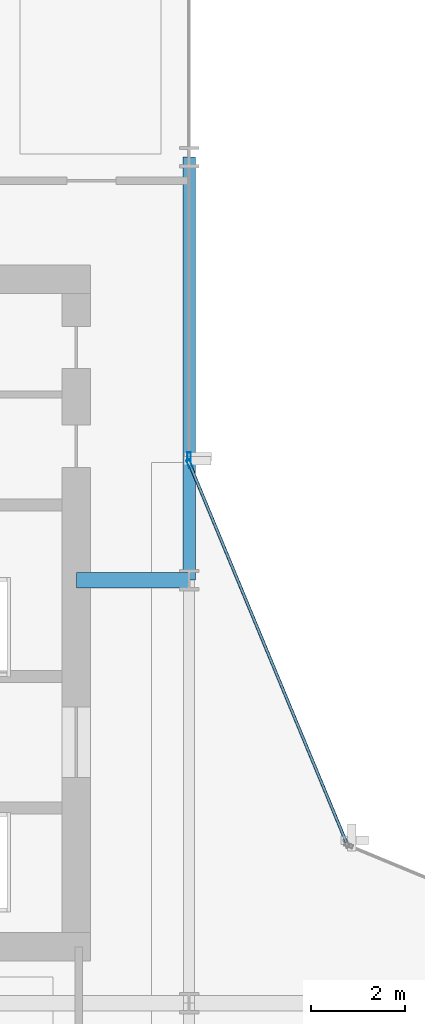
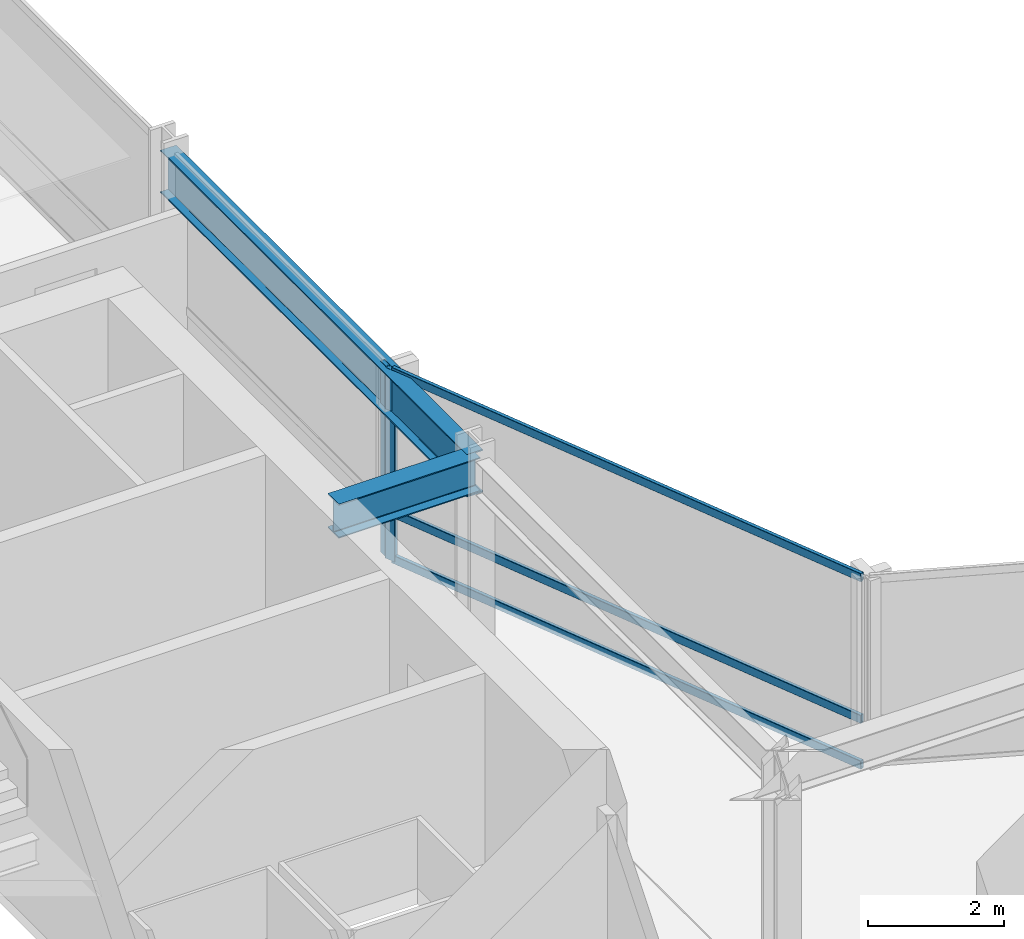
# One storey, part 17 of 29: 5 members, 2 beams, 2 elements without a shape of their own.
"""IFC4 building model written with IfcOpenShell, lengths in metres."""

from ifc_helpers import new_model, si_unit, direction, frame, origin, origin_2d, place, context, subcontext, project, spatial, hollow_rectangle, i_section, extrude, material, layer, layer_set, material_profile, profile_set, type_object, element, aggregate, save


model = new_model("IFC4")

# Units and contexts
model_context = context("Model", 3, precision=1e-05, world=origin(), true_north=direction((0.0, 1.0)))
body_context = subcontext(model_context, "Body", "Model", "MODEL_VIEW")
ifc_project = project(units=[si_unit("LENGTHUNIT", "METRE"), si_unit("AREAUNIT", "SQUARE_METRE"), si_unit("VOLUMEUNIT", "CUBIC_METRE"), si_unit("PLANEANGLEUNIT", "RADIAN"), si_unit("MASSUNIT", "GRAM", prefix="KILO")], contexts=[model_context])

# Site, building, storey
site_placement = place(None, origin())
site = spatial("IfcSite", under=ifc_project, at=site_placement, CompositionType="ELEMENT")
building_placement = place(site_placement, origin())
building = spatial("IfcBuilding", under=site, at=building_placement, Name="Solvaryn Broadcast Tower", CompositionType="ELEMENT")
storey_placement = place(building_placement, frame((0.0, 0.0, 113.699951171875)))
storey = spatial("IfcBuildingStorey", under=building, at=storey_placement, Name="L27", CompositionType="ELEMENT", Elevation=113.699951171875)

# Beams
ifc_material_1 = material(Name="Steel ASTM A992 Grade 50", Category="steel")
ifc_material_profile_1 = material_profile(ifc_material_1, i_section(OverallWidth=0.323974609375, OverallDepth=0.611083984375, WebThickness=0.0126953125, FlangeThickness=0.01904296875, FilletRadius=0.014892578125, at=origin_2d()))
ifc_profile_set_1 = profile_set([ifc_material_profile_1], Name="Steel ASTM A992 Grade 50")
beam_type_1 = type_object("IfcBeamType", Name="BM-B1-W24X104", PredefinedType="BEAM", material=ifc_profile_set_1)
beam_1_placement = place(storey_placement, frame((24.60009765625, 36.0, 3.114501953125), z_axis=(1.0, 0.0, 0.0), x_axis=(0.0, 1.0, 0.0)))
element("IfcBeam", 1, at=beam_1_placement, inside=storey, type_object=beam_type_1, Name="L27 Core Tie Beam CTW2", PredefinedType="BEAM", context=body_context, shape_type="SweptSolid", body=[
    extrude(i_section(OverallWidth=0.323974609375, OverallDepth=0.611083984375, WebThickness=0.0126953125, FlangeThickness=0.01904296875, FilletRadius=0.014892578125, at=origin_2d()), origin(), (0.0, 0.0, 1.0), 2.39990234375),
])
ifc_material_2 = material(Name="Steel ASTM A992 Grade 50", Category="steel")
ifc_material_profile_2 = material_profile(ifc_material_2, i_section(OverallWidth=0.26708984375, OverallDepth=0.76611328125, WebThickness=0.014892578125, FlangeThickness=0.023681640625, FilletRadius=0.01806640625, at=origin_2d()))
ifc_profile_set_2 = profile_set([ifc_material_profile_2], Name="Steel ASTM A992 Grade 50")
beam_type_2 = type_object("IfcBeamType", Name="BM-SP2-W30X124", PredefinedType="USERDEFINED", material=ifc_profile_set_2)
beam_2_placement = place(storey_placement, frame((27.0, 36.0, 3.037109375), z_axis=(0.0, 1.0, 0.0), x_axis=(-1.0, 0.0, 0.0)))
element("IfcBeam", 2, at=beam_2_placement, inside=storey, type_object=beam_type_2, Name="L27 Spandrel Beam Y (36-45 @ X=27)", ObjectType="SPANDREL", PredefinedType="USERDEFINED", context=body_context, shape_type="SweptSolid", body=[
    extrude(i_section(OverallWidth=0.26708984375, OverallDepth=0.76611328125, WebThickness=0.014892578125, FlangeThickness=0.023681640625, FilletRadius=0.01806640625, at=origin_2d()), origin(), (0.0, 0.0, 1.0), 9.0),
])

# Curtain wall, member
ifc_material_3 = material(Name="Aluminium and Terracotta Unitised Curtain Wall", Category="masonry")
ifc_layer = layer(ifc_material_3, 0.199951171875)
ifc_layer_set = layer_set([ifc_layer], Name="CW-SYS2-LOWMID")
curtain_wall_type = type_object("IfcCurtainWallType", Name="CW-SYS2-LOWMID", PredefinedType="NOTDEFINED", material=ifc_layer_set)
curtain_wall_1_placement = place(storey_placement, origin())
curtain_wall_1 = element("IfcCurtainWall", 3, at=curtain_wall_1_placement, inside=storey, type_object=curtain_wall_type, Name="L27 Curtain Wall IV", PredefinedType="NOTDEFINED")
ifc_material_4 = material(Name="Anodised Aluminium 6063-T6", Category="aluminium")
ifc_material_profile_3 = material_profile(ifc_material_4, hollow_rectangle(XDim=0.074951171875, YDim=0.179931640625, WallThickness=0.00390625, InnerFilletRadius=0.00390625, OuterFilletRadius=0.008056640625, at=origin_2d()))
ifc_profile_set_3 = profile_set([ifc_material_profile_3], Name="Anodised Aluminium 6063-T6")
member_type_1 = type_object("IfcMemberType", Name="CW-MUL-180", PredefinedType="MULLION", material=ifc_profile_set_3)
member_1_placement = place(storey_placement, frame((27.0, 38.6298828125, 0.0), z_axis=(0.0, 0.0, 1.0), x_axis=(1.0, 0.0, 0.0)))
member_1 = element("IfcMember", 4, at=member_1_placement, type_object=member_type_1, Name="CWS2 mullion 2", PredefinedType="MULLION", context=body_context, shape_type="SweptSolid", body=[
    extrude(hollow_rectangle(XDim=0.074951171875, YDim=0.179931640625, WallThickness=0.00390625, InnerFilletRadius=0.00390625, OuterFilletRadius=0.008056640625, at=origin_2d()), origin(), (0.0, 0.0, 1.0), 3.420166015625),
])
aggregate(curtain_wall_1, [member_1])

# Curtain wall, members
curtain_wall_2_placement = place(storey_placement, origin())
curtain_wall_2 = element("IfcCurtainWall", 5, at=curtain_wall_2_placement, inside=storey, type_object=curtain_wall_type, Name="L27 Curtain Wall CN2", PredefinedType="NOTDEFINED")
member_2_placement = place(storey_placement, frame((27.011474609375, 38.47216796875, 0.0), z_axis=(0.0, 0.0, 1.0), x_axis=(-0.923894983957, -0.382646127145, 0.0)))
member_2 = element("IfcMember", 6, at=member_2_placement, type_object=member_type_1, Name="CWS2 mullion 2", PredefinedType="MULLION", context=body_context, shape_type="SweptSolid", body=[
    extrude(hollow_rectangle(XDim=0.074951171875, YDim=0.179931640625, WallThickness=0.00390625, InnerFilletRadius=0.00390625, OuterFilletRadius=0.008056640625, at=origin_2d()), origin(), (0.0, 0.0, 1.0), 3.420166015625),
])
ifc_material_5 = material(Name="Anodised Aluminium 6063-T6", Category="aluminium")
ifc_material_profile_4 = material_profile(ifc_material_5, hollow_rectangle(XDim=0.06494140625, YDim=0.14990234375, WallThickness=0.00390625, InnerFilletRadius=0.00390625, OuterFilletRadius=0.008056640625, at=origin_2d()))
ifc_profile_set_4 = profile_set([ifc_material_profile_4], Name="Anodised Aluminium 6063-T6")
member_type_2 = type_object("IfcMemberType", Name="CW-TRN-150", PredefinedType="USERDEFINED", material=ifc_profile_set_4)
member_3_placement = place(storey_placement, frame((30.344970703125, 30.42333984375, 0.030029296875), z_axis=(-0.382635748975, 0.923899282177, 0.0), x_axis=(-0.923899282177, -0.382635748975, 0.0)))
member_3 = element("IfcMember", 7, at=member_3_placement, type_object=member_type_2, Name="CWS2 transom 1.1", ObjectType="TRANSOM", PredefinedType="USERDEFINED", context=body_context, shape_type="SweptSolid", body=[
    extrude(hollow_rectangle(XDim=0.06494140625, YDim=0.14990234375, WallThickness=0.00390625, InnerFilletRadius=0.00390625, OuterFilletRadius=0.008056640625, at=origin_2d()), origin(), (0.0, 0.0, 1.0), 8.681884765625),
])
member_4_placement = place(storey_placement, frame((30.344970703125, 30.42333984375, 0.85009765625), z_axis=(-0.382635748975, 0.923899282177, 0.0), x_axis=(-0.923899282177, -0.382635748975, 0.0)))
member_4 = element("IfcMember", 8, at=member_4_placement, type_object=member_type_2, Name="CWS2 transom 1.2", ObjectType="TRANSOM", PredefinedType="USERDEFINED", context=body_context, shape_type="SweptSolid", body=[
    extrude(hollow_rectangle(XDim=0.06494140625, YDim=0.14990234375, WallThickness=0.00390625, InnerFilletRadius=0.00390625, OuterFilletRadius=0.008056640625, at=origin_2d()), origin(), (0.0, 0.0, 1.0), 8.681884765625),
])
member_5_placement = place(storey_placement, frame((30.344970703125, 30.42333984375, 3.39013671875), z_axis=(-0.382635748975, 0.923899282177, 0.0), x_axis=(-0.923899282177, -0.382635748975, 0.0)))
member_5 = element("IfcMember", 9, at=member_5_placement, type_object=member_type_2, Name="CWS2 transom 1.3", ObjectType="TRANSOM", PredefinedType="USERDEFINED", context=body_context, shape_type="SweptSolid", body=[
    extrude(hollow_rectangle(XDim=0.06494140625, YDim=0.14990234375, WallThickness=0.00390625, InnerFilletRadius=0.00390625, OuterFilletRadius=0.008056640625, at=origin_2d()), origin(), (0.0, 0.0, 1.0), 8.681884765625),
])
aggregate(curtain_wall_2, [member_2, member_3, member_4, member_5])

save(model, "model.ifc")
